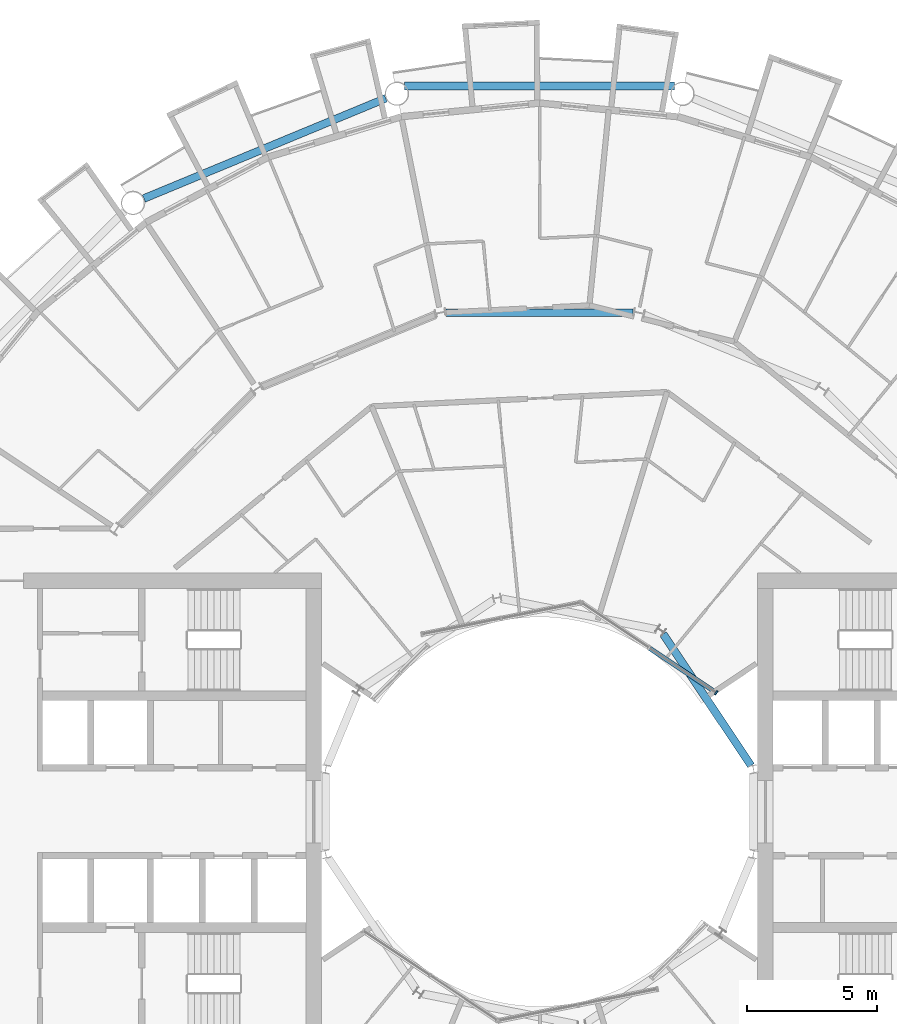
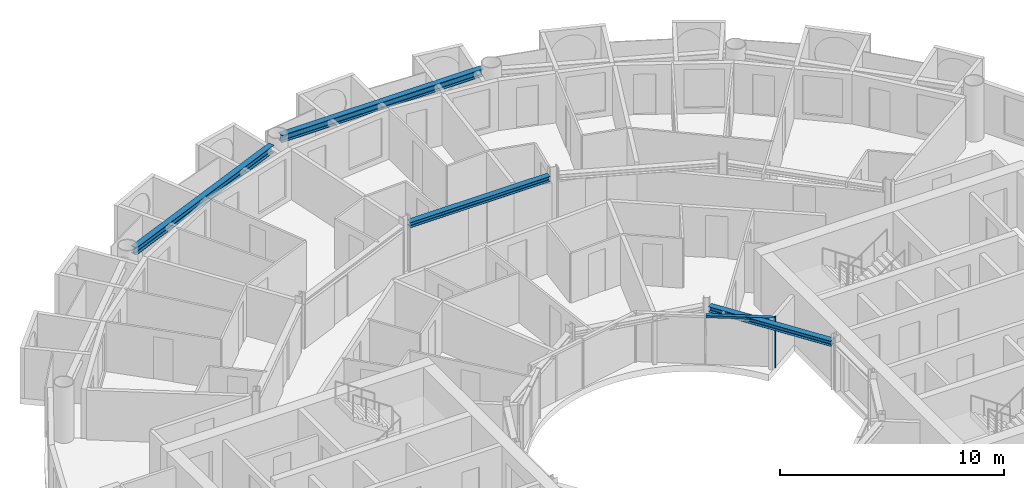
# One storey, part 9 of 27: 4 beams, 2 members, 1 element without a shape of its own.
"""IFC4 building model written with IfcOpenShell, lengths in metres."""

from ifc_helpers import new_model, si_unit, direction, frame, origin, origin_2d, place, context, subcontext, project, spatial, rectangle, i_section, extrude, material, layer, layer_set, material_profile, profile_set, type_object, element, aggregate, save


model = new_model("IFC4")

# Units and contexts
model_context = context("Model", 3, precision=1e-05, world=origin(), true_north=direction((0.0, 1.0)))
body_context = subcontext(model_context, "Body", "Model", "MODEL_VIEW")
ifc_project = project(units=[si_unit("LENGTHUNIT", "METRE"), si_unit("AREAUNIT", "SQUARE_METRE"), si_unit("VOLUMEUNIT", "CUBIC_METRE"), si_unit("PLANEANGLEUNIT", "RADIAN"), si_unit("MASSUNIT", "GRAM", prefix="KILO")], contexts=[model_context])

# Site, building, storey
site_placement = place(None, origin())
site = spatial("IfcSite", under=ifc_project, at=site_placement, CompositionType="ELEMENT")
building_placement = place(site_placement, origin())
building = spatial("IfcBuilding", under=site, at=building_placement, Name="Maasbend Ring Residences", CompositionType="ELEMENT")
storey_placement = place(building_placement, frame((0.0, 0.0, 111.64990234375)))
storey = spatial("IfcBuildingStorey", under=building, at=storey_placement, Name="L31", CompositionType="ELEMENT", Elevation=111.64990234375)

# Curtain wall, members
ifc_material_1 = material(Name="Aluminium and clear glass", Category="aluminium")
ifc_layer = layer(ifc_material_1, 0.179931640625)
ifc_layer_set = layer_set([ifc_layer], Name="CW-W")
curtain_wall_type = type_object("IfcCurtainWallType", Name="CW-W", PredefinedType="NOTDEFINED", material=ifc_layer_set)
curtain_wall_placement = place(storey_placement, origin())
curtain_wall = element("IfcCurtainWall", 1, at=curtain_wall_placement, inside=storey, type_object=curtain_wall_type, Name="Well curtain wall N1", PredefinedType="NOTDEFINED")
ifc_material_2 = material(Name="Aluminium 6063-T6", Category="aluminium")
ifc_material_profile_1 = material_profile(ifc_material_2, rectangle(XDim=0.179931640625, YDim=0.06005859375, at=origin_2d()), Name="AL 180x60")
ifc_profile_set_1 = profile_set([ifc_material_profile_1], Name="Aluminium 6063-T6")
member_type_1 = type_object("IfcMemberType", Name="CWM-W", PredefinedType="MULLION", material=ifc_profile_set_1)
member_1_placement = place(storey_placement, frame((6.805908203125, 4.580810546875, 0.0), z_axis=(0.0, 0.0, 1.0), x_axis=(-0.55557023302, -0.831469612303, 0.0)))
member_1 = element("IfcMember", 2, at=member_1_placement, type_object=member_type_1, Name="Mullion well face", PredefinedType="MULLION", context=body_context, shape_type="SweptSolid", body=[
    extrude(rectangle(XDim=0.179931640625, YDim=0.06005859375, at=origin_2d()), origin(), (0.0, 0.0, 1.0), 2.7001953125),
])
ifc_material_3 = material(Name="Aluminium 6063-T6", Category="aluminium")
ifc_material_profile_2 = material_profile(ifc_material_3, rectangle(XDim=0.179931640625, YDim=0.1201171875, at=origin_2d()), Name="AL 180x120")
ifc_profile_set_2 = profile_set([ifc_material_profile_2], Name="Aluminium 6063-T6")
member_type_2 = type_object("IfcMemberType", Name="CWT-W", PredefinedType="USERDEFINED", material=ifc_profile_set_2)
member_2_placement = place(storey_placement, frame((6.781005859375, 4.59765625, 2.64013671875), z_axis=(-0.831496422459, 0.555530106689, 0.0), x_axis=(-0.555530106689, -0.831496422459, 0.0)))
member_2 = element("IfcMember", 3, at=member_2_placement, type_object=member_type_2, Name="Transom well face", ObjectType="TRANSOM", PredefinedType="USERDEFINED", context=body_context, shape_type="SweptSolid", body=[
    extrude(rectangle(XDim=0.179931640625, YDim=0.1201171875, at=origin_2d()), origin(), (0.0, 0.0, 1.0), 3.053955078125),
])
aggregate(curtain_wall, [member_1, member_2])

# Beams
ifc_material_4 = material(Name="Steel S355J2", Category="steel")
ifc_material_profile_3 = material_profile(ifc_material_4, i_section(OverallWidth=0.300048828125, OverallDepth=0.2900390625, WebThickness=0.008544921875, FlangeThickness=0.013916015625, FilletRadius=0.027099609375, at=origin_2d()), Name="HEA 300")
ifc_profile_set_3 = profile_set([ifc_material_profile_3], Name="Steel S355J2")
beam_type_1 = type_object("IfcBeamType", Name="Corridor ring beam HEA 300", PredefinedType="BEAM", material=ifc_profile_set_3)
beam_1_placement = place(storey_placement, frame((3.603515625, 19.223388671875, 2.55517578125), z_axis=(-1.0, 0.0, 0.0), x_axis=(0.0, -1.0, 0.0)))
element("IfcBeam", 4, at=beam_1_placement, inside=storey, type_object=beam_type_1, Name="Corridor ring beam", PredefinedType="BEAM", context=body_context, shape_type="SweptSolid", body=[
    extrude(i_section(OverallWidth=0.300048828125, OverallDepth=0.2900390625, WebThickness=0.008544921875, FlangeThickness=0.013916015625, FilletRadius=0.027099609375, at=origin_2d()), origin(), (0.0, 0.0, 1.0), 7.20703125),
])
ifc_material_5 = material(Name="Steel S355J2", Category="steel")
ifc_material_profile_4 = material_profile(ifc_material_5, i_section(OverallWidth=0.300048828125, OverallDepth=0.39990234375, WebThickness=0.013427734375, FlangeThickness=0.02392578125, FilletRadius=0.027099609375, at=origin_2d()), Name="HEB 400")
ifc_profile_set_4 = profile_set([ifc_material_profile_4], Name="Steel S355J2")
beam_type_2 = type_object("IfcBeamType", Name="Spandrel ring beam HEB 400", PredefinedType="SPANDREL", material=ifc_profile_set_4)
beam_2_placement = place(storey_placement, frame((5.194580078125, 27.9580078125, 2.5), z_axis=(-1.0, 0.0, 0.0), x_axis=(0.0, -1.0, 0.0)))
element("IfcBeam", 5, at=beam_2_placement, inside=storey, type_object=beam_type_2, Name="Spandrel ring beam", PredefinedType="SPANDREL", context=body_context, shape_type="SweptSolid", body=[
    extrude(i_section(OverallWidth=0.300048828125, OverallDepth=0.39990234375, WebThickness=0.013427734375, FlangeThickness=0.02392578125, FilletRadius=0.027099609375, at=origin_2d()), origin(), (0.0, 0.0, 1.0), 10.38916015625),
])
beam_3_placement = place(storey_placement, frame((-5.923583984375, 27.483154296875, 2.5), z_axis=(-0.92388529709, -0.382669515144, 0.0), x_axis=(0.382669515144, -0.92388529709, 0.0)))
element("IfcBeam", 6, at=beam_3_placement, inside=storey, type_object=beam_type_2, Name="Spandrel ring beam", PredefinedType="SPANDREL", context=body_context, shape_type="SweptSolid", body=[
    extrude(i_section(OverallWidth=0.300048828125, OverallDepth=0.39990234375, WebThickness=0.013427734375, FlangeThickness=0.02392578125, FilletRadius=0.027099609375, at=origin_2d()), origin(), (0.0, 0.0, 1.0), 10.089111328125),
])
ifc_material_6 = material(Name="Steel S355J2", Category="steel")
ifc_material_profile_5 = material_profile(ifc_material_6, i_section(OverallWidth=0.300048828125, OverallDepth=0.2900390625, WebThickness=0.008544921875, FlangeThickness=0.013916015625, FilletRadius=0.027099609375, at=origin_2d()), Name="HEA 300")
ifc_profile_set_5 = profile_set([ifc_material_profile_5], Name="Steel S355J2")
beam_type_3 = type_object("IfcBeamType", Name="Well edge beam HEA 300", PredefinedType="BEAM", material=ifc_profile_set_5)
beam_4_placement = place(storey_placement, frame((8.1484375, 1.773681640625, 2.55517578125), z_axis=(-0.555558236289, 0.831477628137, 0.0), x_axis=(-0.831477628137, -0.555558236289, 0.0)))
element("IfcBeam", 7, at=beam_4_placement, inside=storey, type_object=beam_type_3, Name="Well edge beam", PredefinedType="BEAM", context=body_context, shape_type="SweptSolid", body=[
    extrude(i_section(OverallWidth=0.300048828125, OverallDepth=0.2900390625, WebThickness=0.008544921875, FlangeThickness=0.013916015625, FilletRadius=0.027099609375, at=origin_2d()), origin(), (0.0, 0.0, 1.0), 6.1044921875),
])

save(model, "model.ifc")
